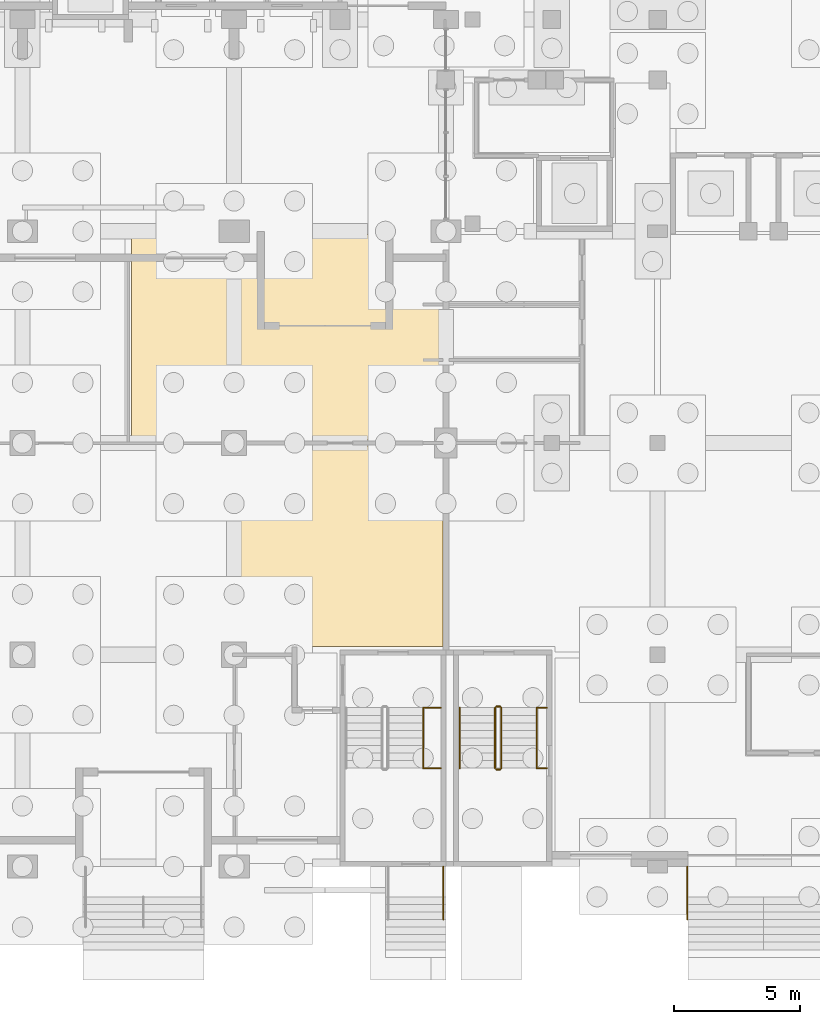
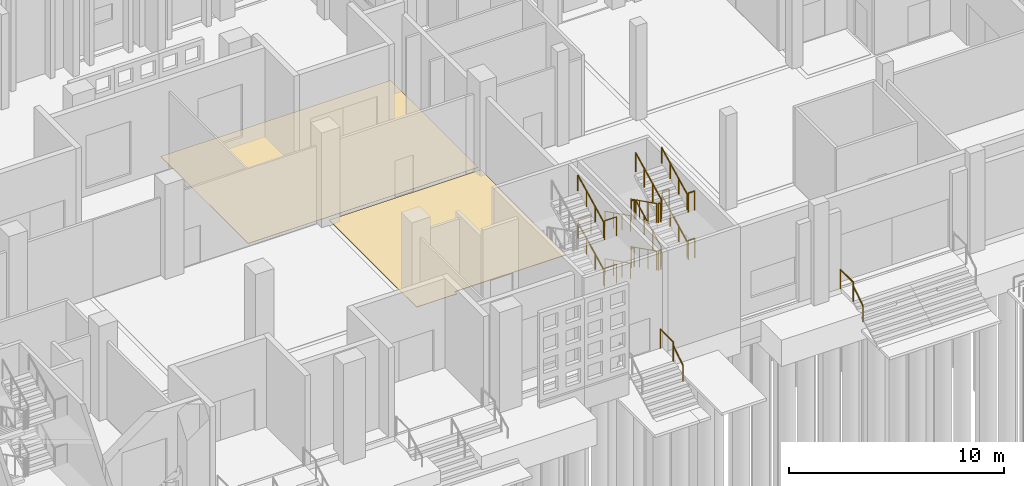
# One storey, part 104 of 129: 24 railings, 2 coverings.
"""IFC4 building model written with IfcOpenShell, lengths in metres."""

from ifc_helpers import new_model, si_unit, direction, frame, origin, origin_2d, place, context, subcontext, project, spatial, polyline, circle, outline, extrude, material, layer, layer_set, type_object, element, save


model = new_model("IFC4")

# Units and contexts
model_context = context("Model", 3, precision=1e-05, world=origin(), true_north=direction((0.0, 1.0)))
body_context = subcontext(model_context, "Body", "Model", "MODEL_VIEW")
ifc_project = project(units=[si_unit("LENGTHUNIT", "METRE"), si_unit("AREAUNIT", "SQUARE_METRE"), si_unit("VOLUMEUNIT", "CUBIC_METRE"), si_unit("PLANEANGLEUNIT", "RADIAN"), si_unit("MASSUNIT", "GRAM", prefix="KILO")], contexts=[model_context])

# Site, building, storey
site_placement = place(None, origin())
site = spatial("IfcSite", under=ifc_project, at=site_placement, CompositionType="ELEMENT")
building_placement = place(site_placement, origin())
building = spatial("IfcBuilding", under=site, at=building_placement, Name="Kiln Court Media Centre", CompositionType="ELEMENT")
storey_placement = place(building_placement, origin())
storey = spatial("IfcBuildingStorey", under=building, at=storey_placement, Name="L00", CompositionType="ELEMENT", Elevation=0.0)

# Coverings
ifc_material_1 = material(Name="Carpet tile")
ifc_layer_1 = layer(ifc_material_1, 0.014892578125)
ifc_layer_set_1 = layer_set([ifc_layer_1], Name="Carpet tile floor finish 15")
covering_type_1 = type_object("IfcCoveringType", Name="Carpet tile floor finish 15", PredefinedType="FLOORING", material=ifc_layer_set_1)
covering_1_placement = place(storey_placement, origin())
element("IfcCovering", 1, at=covering_1_placement, inside=storey, type_object=covering_type_1, Name="Media Learning Studio floor finish", PredefinedType="FLOORING", context=body_context, shape_type="SweptSolid", body=[
    extrude(outline(polyline([(21.1201171875, 16.919921875), (33.47998046875, 16.919921875), (33.47998046875, 25.080078125), (21.1201171875, 25.080078125), (21.1201171875, 16.919921875)])), origin(), (0.0, 0.0, 1.0), 0.014892578125),
])
ifc_material_2 = material(Name="Terrazzo")
ifc_layer_2 = layer(ifc_material_2, 0.02490234375)
ifc_layer_set_2 = layer_set([ifc_layer_2], Name="Polished terrazzo floor finish 25")
covering_type_2 = type_object("IfcCoveringType", Name="Polished terrazzo floor finish 25", PredefinedType="FLOORING", material=ifc_layer_set_2)
covering_2_placement = place(storey_placement, origin())
element("IfcCovering", 2, at=covering_2_placement, inside=storey, type_object=covering_type_2, Name="East Lobby floor finish", PredefinedType="FLOORING", context=body_context, shape_type="SweptSolid", body=[
    extrude(outline(polyline([(25.320068359375, 8.52001953125), (27.47998046875, 8.52001953125), (27.47998046875, 8.719970703125), (33.47998046875, 8.719970703125), (33.47998046875, 16.679931640625), (25.320068359375, 16.679931640625), (25.320068359375, 8.52001953125)])), origin(), (0.0, 0.0, 1.0), 0.02490234375),
])

# Railings
ifc_material_3 = material(Name="Steel S275", Category="steel")
railing_type_1 = type_object("IfcRailingType", Name="Steel S275 stair guard 1100", PredefinedType="GUARDRAIL", material=ifc_material_3)
for number, where, name in (
    (3, (32.75, 3.89990234375, 1.35009765625), "ST-03 landing edge guard"),
    (4, (32.75, 6.300048828125, 2.699951171875), "ST-03 landing edge guard"),
    (5, (32.75, 3.89990234375, 4.050048828125), "ST-03 landing edge guard"),
):
    element("IfcRailing", number, at=place(storey_placement, frame(where)), inside=storey, type_object=railing_type_1, Name=name, PredefinedType="GUARDRAIL", context=body_context, shape_type="SweptSolid", body=[
        extrude(circle(Radius=0.02392578125, at=origin_2d()), frame((0.0, 0.0, 1.076171875), z_axis=(1.0, 0.0, 0.0), x_axis=(0.0, 1.0, 0.0)), (0.0, 0.0, 1.0), 0.64990234375),
        extrude(circle(Radius=0.02099609375, at=origin_2d()), origin(), (0.0, 0.0, 1.0), 1.052001953125),
        extrude(circle(Radius=0.02099609375, at=origin_2d()), frame((0.64990234375, 0.0, 0.0)), (0.0, 0.0, 1.0), 1.052001953125),
    ])
railing_1_placement = place(storey_placement, frame((35.550048828125, 6.300048828125, 0.14990234375)))
element("IfcRailing", 6, at=railing_1_placement, inside=storey, type_object=railing_type_1, Name="ST-04 stair guard", PredefinedType="GUARDRAIL", context=body_context, shape_type="SweptSolid", body=[
    extrude(circle(Radius=0.02392578125, at=origin_2d()), frame((0.0, 0.0, 1.076171875), z_axis=(0.0, -0.894408994573, 0.447249986504), x_axis=(1.0, 0.0, 0.0)), (0.0, 0.0, 1.0), 2.68359375),
    extrude(circle(Radius=0.02099609375, at=origin_2d()), origin(), (0.0, 0.0, 1.0), 1.052001953125),
    extrude(circle(Radius=0.02099609375, at=origin_2d()), frame((0.0, -0.800048828125, 0.400146484375)), (0.0, 0.0, 1.0), 1.052001953125),
    extrude(circle(Radius=0.02099609375, at=origin_2d()), frame((0.0, -1.60009765625, 0.800048828125)), (0.0, 0.0, 1.0), 1.052001953125),
    extrude(circle(Radius=0.02099609375, at=origin_2d()), frame((0.0, -2.400146484375, 1.2001953125)), (0.0, 0.0, 1.0), 1.052001953125),
])
railing_2_placement = place(storey_placement, frame((35.60009765625, 3.85009765625, 1.35009765625)))
element("IfcRailing", 7, at=railing_2_placement, inside=storey, type_object=railing_type_1, Name="ST-04 stair guard", PredefinedType="GUARDRAIL", context=body_context, shape_type="SweptSolid", body=[
    extrude(circle(Radius=0.02392578125, at=origin_2d()), frame((0.0, 0.0, 1.076171875), z_axis=(1.0, 0.0, 0.0), x_axis=(0.0, 1.0, 0.0)), (0.0, 0.0, 1.0), 0.14990234375),
    extrude(circle(Radius=0.02099609375, at=origin_2d()), origin(), (0.0, 0.0, 1.0), 1.052001953125),
    extrude(circle(Radius=0.02099609375, at=origin_2d()), frame((0.14990234375, 0.0, 0.0)), (0.0, 0.0, 1.0), 1.052001953125),
])
railing_3_placement = place(storey_placement, frame((35.800048828125, 3.89990234375, 1.5)))
element("IfcRailing", 8, at=railing_3_placement, inside=storey, type_object=railing_type_1, Name="ST-04 stair guard", PredefinedType="GUARDRAIL", context=body_context, shape_type="SweptSolid", body=[
    extrude(circle(Radius=0.02392578125, at=origin_2d()), frame((0.0, 0.0, 1.076171875), z_axis=(0.0, 0.894445386687, 0.447177202275), x_axis=(-1.0, 0.0, 0.0)), (0.0, 0.0, 1.0), 2.683349609375),
    extrude(circle(Radius=0.02099609375, at=origin_2d()), origin(), (0.0, 0.0, 1.0), 1.052001953125),
    extrude(circle(Radius=0.02099609375, at=origin_2d()), frame((0.0, 0.800048828125, 0.39990234375)), (0.0, 0.0, 1.0), 1.052001953125),
    extrude(circle(Radius=0.02099609375, at=origin_2d()), frame((0.0, 1.60009765625, 0.800048828125)), (0.0, 0.0, 1.0), 1.052001953125),
    extrude(circle(Radius=0.02099609375, at=origin_2d()), frame((0.0, 2.400146484375, 1.199951171875)), (0.0, 0.0, 1.0), 1.052001953125),
])
railing_4_placement = place(storey_placement, frame((35.60009765625, 6.35009765625, 2.699951171875)))
element("IfcRailing", 9, at=railing_4_placement, inside=storey, type_object=railing_type_1, Name="ST-04 stair guard", PredefinedType="GUARDRAIL", context=body_context, shape_type="SweptSolid", body=[
    extrude(circle(Radius=0.02392578125, at=origin_2d()), frame((0.0, 0.0, 1.076171875), z_axis=(1.0, 0.0, 0.0), x_axis=(0.0, 1.0, 0.0)), (0.0, 0.0, 1.0), 0.14990234375),
    extrude(circle(Radius=0.02099609375, at=origin_2d()), origin(), (0.0, 0.0, 1.0), 1.052001953125),
    extrude(circle(Radius=0.02099609375, at=origin_2d()), frame((0.14990234375, 0.0, 0.0)), (0.0, 0.0, 1.0), 1.052001953125),
])
railing_5_placement = place(storey_placement, frame((35.550048828125, 6.300048828125, 2.85009765625)))
element("IfcRailing", 10, at=railing_5_placement, inside=storey, type_object=railing_type_1, Name="ST-04 stair guard", PredefinedType="GUARDRAIL", context=body_context, shape_type="SweptSolid", body=[
    extrude(circle(Radius=0.02392578125, at=origin_2d()), frame((0.0, 0.0, 1.076171875), z_axis=(0.0, -0.894445386687, 0.447177202275), x_axis=(1.0, 0.0, 0.0)), (0.0, 0.0, 1.0), 2.683349609375),
    extrude(circle(Radius=0.02099609375, at=origin_2d()), origin(), (0.0, 0.0, 1.0), 1.052001953125),
    extrude(circle(Radius=0.02099609375, at=origin_2d()), frame((0.0, -0.800048828125, 0.39990234375)), (0.0, 0.0, 1.0), 1.052001953125),
    extrude(circle(Radius=0.02099609375, at=origin_2d()), frame((0.0, -1.60009765625, 0.800048828125)), (0.0, 0.0, 1.0), 1.052001953125),
    extrude(circle(Radius=0.02099609375, at=origin_2d()), frame((0.0, -2.400146484375, 1.199951171875)), (0.0, 0.0, 1.0), 1.052001953125),
])
railing_6_placement = place(storey_placement, frame((35.60009765625, 3.85009765625, 4.050048828125)))
element("IfcRailing", 11, at=railing_6_placement, inside=storey, type_object=railing_type_1, Name="ST-04 stair guard", PredefinedType="GUARDRAIL", context=body_context, shape_type="SweptSolid", body=[
    extrude(circle(Radius=0.02392578125, at=origin_2d()), frame((0.0, 0.0, 1.076171875), z_axis=(1.0, 0.0, 0.0), x_axis=(0.0, 1.0, 0.0)), (0.0, 0.0, 1.0), 0.14990234375),
    extrude(circle(Radius=0.02099609375, at=origin_2d()), origin(), (0.0, 0.0, 1.0), 1.052001953125),
    extrude(circle(Radius=0.02099609375, at=origin_2d()), frame((0.14990234375, 0.0, 0.0)), (0.0, 0.0, 1.0), 1.052001953125),
])
railing_7_placement = place(storey_placement, frame((35.800048828125, 3.89990234375, 4.199951171875)))
element("IfcRailing", 12, at=railing_7_placement, inside=storey, type_object=railing_type_1, Name="ST-04 stair guard", PredefinedType="GUARDRAIL", context=body_context, shape_type="SweptSolid", body=[
    extrude(circle(Radius=0.02392578125, at=origin_2d()), frame((0.0, 0.0, 1.076171875), z_axis=(0.0, 0.894445386687, 0.447177202275), x_axis=(-1.0, 0.0, 0.0)), (0.0, 0.0, 1.0), 2.683349609375),
    extrude(circle(Radius=0.02099609375, at=origin_2d()), origin(), (0.0, 0.0, 1.0), 1.052001953125),
    extrude(circle(Radius=0.02099609375, at=origin_2d()), frame((0.0, 0.800048828125, 0.39990234375)), (0.0, 0.0, 1.0), 1.052001953125),
    extrude(circle(Radius=0.02099609375, at=origin_2d()), frame((0.0, 1.60009765625, 0.800048828125)), (0.0, 0.0, 1.0), 1.052001953125),
    extrude(circle(Radius=0.02099609375, at=origin_2d()), frame((0.0, 2.400146484375, 1.199951171875)), (0.0, 0.0, 1.0), 1.052001953125),
])
railing_8_placement = place(storey_placement, frame((35.60009765625, 6.35009765625, 0.0)))
element("IfcRailing", 13, at=railing_8_placement, inside=storey, type_object=railing_type_1, Name="ST-04 stair guard", PredefinedType="GUARDRAIL", context=body_context, shape_type="SweptSolid", body=[
    extrude(circle(Radius=0.02392578125, at=origin_2d()), frame((0.0, 0.0, 1.076171875), z_axis=(1.0, 0.0, 0.0), x_axis=(0.0, 1.0, 0.0)), (0.0, 0.0, 1.0), 0.14990234375),
    extrude(circle(Radius=0.02099609375, at=origin_2d()), origin(), (0.0, 0.0, 1.0), 1.052001953125),
    extrude(circle(Radius=0.02099609375, at=origin_2d()), frame((0.14990234375, 0.0, 0.0)), (0.0, 0.0, 1.0), 1.052001953125),
])
for number, where, name in (
    (14, (37.25, 3.89990234375, 1.35009765625), "ST-04 landing edge guard"),
    (15, (37.25, 6.300048828125, 2.699951171875), "ST-04 landing edge guard"),
    (16, (37.25, 3.89990234375, 4.050048828125), "ST-04 landing edge guard"),
):
    element("IfcRailing", number, at=place(storey_placement, frame(where)), inside=storey, type_object=railing_type_1, Name=name, PredefinedType="GUARDRAIL", context=body_context, shape_type="SweptSolid", body=[
        extrude(circle(Radius=0.02392578125, at=origin_2d()), frame((0.0, 0.0, 1.076171875), z_axis=(1.0, 0.0, 0.0), x_axis=(0.0, 1.0, 0.0)), (0.0, 0.0, 1.0), 0.35009765625),
        extrude(circle(Radius=0.02099609375, at=origin_2d()), origin(), (0.0, 0.0, 1.0), 1.052001953125),
        extrude(circle(Radius=0.02099609375, at=origin_2d()), frame((0.35009765625, 0.0, 0.0)), (0.0, 0.0, 1.0), 1.052001953125),
    ])
ifc_material_4 = material(Name="Steel S275", Category="steel")
railing_type_2 = type_object("IfcRailingType", Name="Steel S275 stair handrail 900", PredefinedType="HANDRAIL", material=ifc_material_4)
for number, where, name in (
    (17, (32.699951171875, 3.89990234375, 1.5), "ST-03 stair handrail"),
    (18, (32.699951171875, 3.89990234375, 4.199951171875), "ST-03 stair handrail"),
):
    element("IfcRailing", number, at=place(storey_placement, frame(where)), inside=storey, type_object=railing_type_2, Name=name, PredefinedType="HANDRAIL", context=body_context, shape_type="SweptSolid", body=[
        extrude(circle(Radius=0.02392578125, at=origin_2d()), frame((0.0, 0.0, 0.8759765625), z_axis=(0.0, 0.894445386687, 0.447177202275), x_axis=(-1.0, 0.0, 0.0)), (0.0, 0.0, 1.0), 2.683349609375),
        extrude(circle(Radius=0.02099609375, at=origin_2d()), origin(), (0.0, 0.0, 1.0), 0.851806640625),
        extrude(circle(Radius=0.02099609375, at=origin_2d()), frame((0.0, 0.800048828125, 0.39990234375)), (0.0, 0.0, 1.0), 0.851806640625),
        extrude(circle(Radius=0.02099609375, at=origin_2d()), frame((0.0, 1.60009765625, 0.800048828125)), (0.0, 0.0, 1.0), 0.851806640625),
        extrude(circle(Radius=0.02099609375, at=origin_2d()), frame((0.0, 2.400146484375, 1.199951171875)), (0.0, 0.0, 1.0), 0.851806640625),
    ])
railing_9_placement = place(storey_placement, frame((34.14990234375, 6.300048828125, 0.14990234375)))
element("IfcRailing", 19, at=railing_9_placement, inside=storey, type_object=railing_type_2, Name="ST-04 stair handrail", PredefinedType="HANDRAIL", context=body_context, shape_type="SweptSolid", body=[
    extrude(circle(Radius=0.02392578125, at=origin_2d()), frame((0.0, 0.0, 0.8759765625), z_axis=(0.0, -0.894408994573, 0.447249986504), x_axis=(1.0, 0.0, 0.0)), (0.0, 0.0, 1.0), 2.68359375),
    extrude(circle(Radius=0.02099609375, at=origin_2d()), origin(), (0.0, 0.0, 1.0), 0.851806640625),
    extrude(circle(Radius=0.02099609375, at=origin_2d()), frame((0.0, -0.800048828125, 0.400146484375)), (0.0, 0.0, 1.0), 0.851806640625),
    extrude(circle(Radius=0.02099609375, at=origin_2d()), frame((0.0, -1.60009765625, 0.800048828125)), (0.0, 0.0, 1.0), 0.851806640625),
    extrude(circle(Radius=0.02099609375, at=origin_2d()), frame((0.0, -2.400146484375, 1.2001953125)), (0.0, 0.0, 1.0), 0.851806640625),
])
railing_10_placement = place(storey_placement, frame((37.199951171875, 3.89990234375, 1.5)))
element("IfcRailing", 20, at=railing_10_placement, inside=storey, type_object=railing_type_2, Name="ST-04 stair handrail", PredefinedType="HANDRAIL", context=body_context, shape_type="SweptSolid", body=[
    extrude(circle(Radius=0.02392578125, at=origin_2d()), frame((0.0, 0.0, 0.8759765625), z_axis=(0.0, 0.894445386687, 0.447177202275), x_axis=(-1.0, 0.0, 0.0)), (0.0, 0.0, 1.0), 2.683349609375),
    extrude(circle(Radius=0.02099609375, at=origin_2d()), origin(), (0.0, 0.0, 1.0), 0.851806640625),
    extrude(circle(Radius=0.02099609375, at=origin_2d()), frame((0.0, 0.800048828125, 0.39990234375)), (0.0, 0.0, 1.0), 0.851806640625),
    extrude(circle(Radius=0.02099609375, at=origin_2d()), frame((0.0, 1.60009765625, 0.800048828125)), (0.0, 0.0, 1.0), 0.851806640625),
    extrude(circle(Radius=0.02099609375, at=origin_2d()), frame((0.0, 2.400146484375, 1.199951171875)), (0.0, 0.0, 1.0), 0.851806640625),
])
railing_11_placement = place(storey_placement, frame((34.14990234375, 6.300048828125, 2.85009765625)))
element("IfcRailing", 21, at=railing_11_placement, inside=storey, type_object=railing_type_2, Name="ST-04 stair handrail", PredefinedType="HANDRAIL", context=body_context, shape_type="SweptSolid", body=[
    extrude(circle(Radius=0.02392578125, at=origin_2d()), frame((0.0, 0.0, 0.8759765625), z_axis=(0.0, -0.894445386687, 0.447177202275), x_axis=(1.0, 0.0, 0.0)), (0.0, 0.0, 1.0), 2.683349609375),
    extrude(circle(Radius=0.02099609375, at=origin_2d()), origin(), (0.0, 0.0, 1.0), 0.851806640625),
    extrude(circle(Radius=0.02099609375, at=origin_2d()), frame((0.0, -0.800048828125, 0.39990234375)), (0.0, 0.0, 1.0), 0.851806640625),
    extrude(circle(Radius=0.02099609375, at=origin_2d()), frame((0.0, -1.60009765625, 0.800048828125)), (0.0, 0.0, 1.0), 0.851806640625),
    extrude(circle(Radius=0.02099609375, at=origin_2d()), frame((0.0, -2.400146484375, 1.199951171875)), (0.0, 0.0, 1.0), 0.851806640625),
])
railing_12_placement = place(storey_placement, frame((37.199951171875, 3.89990234375, 4.199951171875)))
element("IfcRailing", 22, at=railing_12_placement, inside=storey, type_object=railing_type_2, Name="ST-04 stair handrail", PredefinedType="HANDRAIL", context=body_context, shape_type="SweptSolid", body=[
    extrude(circle(Radius=0.02392578125, at=origin_2d()), frame((0.0, 0.0, 0.8759765625), z_axis=(0.0, 0.894445386687, 0.447177202275), x_axis=(-1.0, 0.0, 0.0)), (0.0, 0.0, 1.0), 2.683349609375),
    extrude(circle(Radius=0.02099609375, at=origin_2d()), origin(), (0.0, 0.0, 1.0), 0.851806640625),
    extrude(circle(Radius=0.02099609375, at=origin_2d()), frame((0.0, 0.800048828125, 0.39990234375)), (0.0, 0.0, 1.0), 0.851806640625),
    extrude(circle(Radius=0.02099609375, at=origin_2d()), frame((0.0, 1.60009765625, 0.800048828125)), (0.0, 0.0, 1.0), 0.851806640625),
    extrude(circle(Radius=0.02099609375, at=origin_2d()), frame((0.0, 2.400146484375, 1.199951171875)), (0.0, 0.0, 1.0), 0.851806640625),
])
ifc_material_5 = material(Name="Steel ASTM A572 Gr 50", Category="steel")
railing_type_3 = type_object("IfcRailingType", Name="Steel guard rail 1100", PredefinedType="GUARDRAIL", material=ifc_material_5)
for number, where, name in (
    (23, (33.5, -1.199951171875, 0.0), "ST-03 street porch landing guard"),
    (24, (43.169921875, -1.199951171875, 0.0), "EN-04 street porch landing guard"),
):
    element("IfcRailing", number, at=place(storey_placement, frame(where)), inside=storey, type_object=railing_type_3, Name=name, PredefinedType="GUARDRAIL", context=body_context, shape_type="SweptSolid", body=[
        extrude(circle(Radius=0.02392578125, at=origin_2d()), frame((0.0, 0.0, 1.076171875), z_axis=(0.0, 1.0, 0.0), x_axis=(-1.0, 0.0, 0.0)), (0.0, 0.0, 1.0), 1.199951171875),
        extrude(circle(Radius=0.02099609375, at=origin_2d()), origin(), (0.0, 0.0, 1.0), 1.052001953125),
        extrude(circle(Radius=0.02099609375, at=origin_2d()), frame((0.0, 1.199951171875, 0.0)), (0.0, 0.0, 1.0), 1.052001953125),
    ])
ifc_material_6 = material(Name="Steel ASTM A572 Gr 50", Category="steel")
railing_type_4 = type_object("IfcRailingType", Name="Steel handrail 900", PredefinedType="HANDRAIL", material=ifc_material_6)
for number, where, name in (
    (25, (33.5, -2.10009765625, -0.60009765625), "ST-03 street porch steps handrail"),
    (26, (43.169921875, -2.10009765625, -0.60009765625), "EN-04 street porch steps handrail"),
):
    element("IfcRailing", number, at=place(storey_placement, frame(where)), inside=storey, type_object=railing_type_4, Name=name, PredefinedType="HANDRAIL", context=body_context, shape_type="SweptSolid", body=[
        extrude(circle(Radius=0.02392578125, at=origin_2d()), frame((0.0, 0.0, 0.8759765625), z_axis=(0.0, 0.832050294338, 0.554700196225), x_axis=(-1.0, 0.0, 0.0)), (0.0, 0.0, 1.0), 1.081787109375),
        extrude(circle(Radius=0.02099609375, at=origin_2d()), origin(), (0.0, 0.0, 1.0), 0.851806640625),
        extrude(circle(Radius=0.02099609375, at=origin_2d()), frame((0.0, 0.900146484375, 0.60009765625)), (0.0, 0.0, 1.0), 0.851806640625),
    ])

save(model, "model.ifc")
